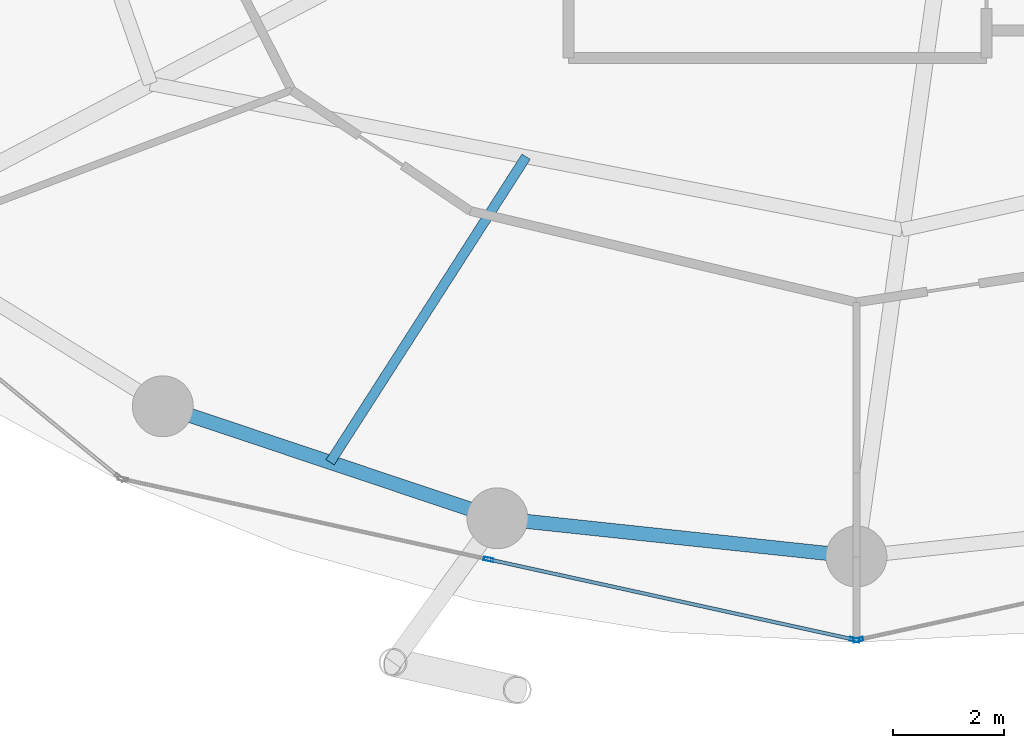
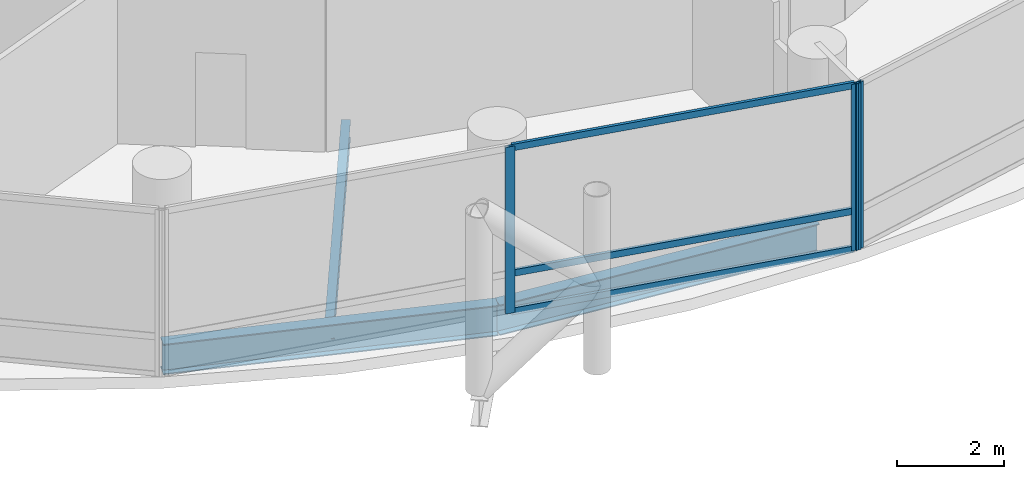
# One storey, part 4 of 25: 6 members, 3 beams, 2 elements without a shape of their own.
"""IFC4 building model written with IfcOpenShell, lengths in metres."""

from ifc_helpers import new_model, si_unit, direction, frame, origin, origin_2d, place, context, subcontext, project, spatial, hollow_rectangle, i_section, extrude, material, layer, layer_set, material_profile, profile_set, type_object, element, aggregate, save


model = new_model("IFC4")

# Units and contexts
model_context = context("Model", 3, precision=1e-05, world=origin(), true_north=direction((0.0, 1.0)))
body_context = subcontext(model_context, "Body", "Model", "MODEL_VIEW")
ifc_project = project(units=[si_unit("LENGTHUNIT", "METRE"), si_unit("AREAUNIT", "SQUARE_METRE"), si_unit("VOLUMEUNIT", "CUBIC_METRE"), si_unit("PLANEANGLEUNIT", "RADIAN"), si_unit("MASSUNIT", "GRAM", prefix="KILO")], contexts=[model_context])

# Site, building, storey
site_placement = place(None, origin())
site = spatial("IfcSite", under=ifc_project, at=site_placement, CompositionType="ELEMENT")
building_placement = place(site_placement, origin())
building = spatial("IfcBuilding", under=site, at=building_placement, Name="Nuhasar Tower", CompositionType="ELEMENT")
storey_placement = place(building_placement, frame((0.0, 0.0, 45.300048828125)))
storey = spatial("IfcBuildingStorey", under=building, at=storey_placement, Name="L10", CompositionType="ELEMENT", Elevation=45.300048828125)

# Beams
ifc_material_1 = material(Name="Steel S355", Category="steel")
ifc_material_profile_1 = material_profile(ifc_material_1, i_section(OverallWidth=0.177978515625, OverallDepth=0.406005859375, WebThickness=0.0078125, FlangeThickness=0.0126953125, at=origin_2d()), Name="W16X40")
ifc_profile_set_1 = profile_set([ifc_material_profile_1], Name="Steel S355")
beam_type_1 = type_object("IfcBeamType", Name="BM-JST-W16X40", PredefinedType="JOIST", material=ifc_profile_set_1)
beam_1_placement = place(storey_placement, frame((33.035888671875, 13.77001953125, -0.463134765625), z_axis=(-0.539944240715, -0.841700788237, 0.0), x_axis=(0.841700788237, -0.539944240715, 0.0)))
element("IfcBeam", 1, at=beam_1_placement, inside=storey, type_object=beam_type_1, Name="L10 Secondary Floor Joist 01", PredefinedType="JOIST", context=body_context, shape_type="SweptSolid", body=[
    extrude(i_section(OverallWidth=0.177978515625, OverallDepth=0.406005859375, WebThickness=0.0078125, FlangeThickness=0.0126953125, at=origin_2d()), origin(), (0.0, 0.0, 1.0), 6.555908203125),
])
ifc_material_profile_2 = material_profile(ifc_material_1, i_section(OverallWidth=0.256103515625, OverallDepth=0.693115234375, WebThickness=0.014404296875, FlangeThickness=0.023681640625, at=origin_2d()), Name="W27X114")
ifc_profile_set_2 = profile_set([ifc_material_profile_2], Name="Steel S355")
beam_type_2 = type_object("IfcBeamType", Name="BM-RING-W27X114", PredefinedType="SPANDREL", material=ifc_profile_set_2)
beam_2_placement = place(storey_placement, frame((26.47509765625, 9.262939453125, -0.60595703125), z_axis=(0.94826097201, -0.317491935271, 0.0), x_axis=(0.317491935271, 0.94826097201, 0.0)))
element("IfcBeam", 2, at=beam_2_placement, inside=storey, type_object=beam_type_2, Name="L10 Perimeter Ring Spandrel 17", PredefinedType="SPANDREL", context=body_context, shape_type="SweptSolid", body=[
    extrude(i_section(OverallWidth=0.256103515625, OverallDepth=0.693115234375, WebThickness=0.014404296875, FlangeThickness=0.023681640625, at=origin_2d()), origin(), (0.0, 0.0, 1.0), 6.37158203125),
])
beam_3_placement = place(storey_placement, frame((32.51708984375, 7.239990234375, -0.60595703125), z_axis=(0.994384554061, -0.105827022286, 0.0), x_axis=(0.105827022286, 0.994384554061, 0.0)))
element("IfcBeam", 3, at=beam_3_placement, inside=storey, type_object=beam_type_2, Name="L10 Perimeter Ring Spandrel 18", PredefinedType="SPANDREL", context=body_context, shape_type="SweptSolid", body=[
    extrude(i_section(OverallWidth=0.256103515625, OverallDepth=0.693115234375, WebThickness=0.014404296875, FlangeThickness=0.023681640625, at=origin_2d()), origin(), (0.0, 0.0, 1.0), 6.51953125),
])

# Curtain wall, members
ifc_material_2 = material(Name="Aluminium 6063-T6", Category="aluminium")
ifc_layer = layer(ifc_material_2, 0.199951171875)
ifc_layer_set = layer_set([ifc_layer], Name="Aluminium 6063-T6")
curtain_wall_type = type_object("IfcCurtainWallType", Name="CW-Z1-OFF", PredefinedType="NOTDEFINED", material=ifc_layer_set)
curtain_wall_1_placement = place(storey_placement, origin())
curtain_wall_1 = element("IfcCurtainWall", 4, at=curtain_wall_1_placement, inside=storey, type_object=curtain_wall_type, Name="L10 Unitised Curtain Wall 09", PredefinedType="NOTDEFINED")
ifc_material_profile_3 = material_profile(ifc_material_2, hollow_rectangle(XDim=0.06494140625, YDim=0.179931640625, WallThickness=0.0048828125, at=origin_2d()), Name="CWM-2")
ifc_profile_set_3 = profile_set([ifc_material_profile_3], Name="Aluminium 6063-T6")
member_type_1 = type_object("IfcMemberType", Name="CW-MUL-S2", PredefinedType="MULLION", material=ifc_profile_set_3)
member_1_placement = place(storey_placement, frame((32.360107421875, 6.49755859375, 0.0), z_axis=(0.0, 0.0, 1.0), x_axis=(0.214398737637, 0.976746221544, 0.0)))
member_1 = element("IfcMember", 5, at=member_1_placement, type_object=member_type_1, Name="CW-Z1 mullion 2", PredefinedType="MULLION", context=body_context, shape_type="SweptSolid", body=[
    extrude(hollow_rectangle(XDim=0.06494140625, YDim=0.179931640625, WallThickness=0.0048828125, at=origin_2d()), origin(), (0.0, 0.0, 1.0), 3.7900390625),
])
member_2_placement = place(storey_placement, frame((38.96826171875, 5.046875, 0.0), z_axis=(0.0, 0.0, 1.0), x_axis=(0.214398737637, 0.976746221544, 0.0)))
member_2 = element("IfcMember", 6, at=member_2_placement, type_object=member_type_1, Name="CW-Z1 mullion 3", PredefinedType="MULLION", context=body_context, shape_type="SweptSolid", body=[
    extrude(hollow_rectangle(XDim=0.06494140625, YDim=0.179931640625, WallThickness=0.0048828125, at=origin_2d()), origin(), (0.0, 0.0, 1.0), 3.7900390625),
])

# Curtain wall, member
curtain_wall_2_placement = place(storey_placement, origin())
curtain_wall_2 = element("IfcCurtainWall", 7, at=curtain_wall_2_placement, inside=storey, type_object=curtain_wall_type, Name="L10 Unitised Curtain Wall 10", PredefinedType="NOTDEFINED")
member_3_placement = place(storey_placement, frame((39.03173828125, 5.046875, 0.0), z_axis=(0.0, 0.0, 1.0), x_axis=(-0.214398737637, 0.976746221544, 0.0)))
member_3 = element("IfcMember", 8, at=member_3_placement, type_object=member_type_1, Name="CW-Z1 mullion 1", PredefinedType="MULLION", context=body_context, shape_type="SweptSolid", body=[
    extrude(hollow_rectangle(XDim=0.06494140625, YDim=0.179931640625, WallThickness=0.0048828125, at=origin_2d()), origin(), (0.0, 0.0, 1.0), 3.7900390625),
])
aggregate(curtain_wall_2, [member_3])

# Member
ifc_material_profile_4 = material_profile(ifc_material_2, hollow_rectangle(XDim=0.06494140625, YDim=0.14990234375, WallThickness=0.00439453125, at=origin_2d()), Name="CWT-2")
ifc_profile_set_4 = profile_set([ifc_material_profile_4], Name="Aluminium 6063-T6")
member_type_2 = type_object("IfcMemberType", Name="CW-TRN-S2", PredefinedType="USERDEFINED", material=ifc_profile_set_4)
member_4_placement = place(storey_placement, frame((32.391845703125, 6.490478515625, 0.032470703125), z_axis=(0.976747879138, -0.214391185916, 0.0), x_axis=(0.214391185916, 0.976747879138, 0.0)))
member_4 = element("IfcMember", 9, at=member_4_placement, type_object=member_type_2, Name="CW-Z1 transom 2.1", ObjectType="TRANSOM", PredefinedType="USERDEFINED", context=body_context, shape_type="SweptSolid", body=[
    extrude(hollow_rectangle(XDim=0.06494140625, YDim=0.14990234375, WallThickness=0.00439453125, at=origin_2d()), origin(), (0.0, 0.0, 1.0), 6.700439453125),
])

member_5_placement = place(storey_placement, frame((32.391845703125, 6.490478515625, 0.89990234375), z_axis=(0.976747879138, -0.214391185916, 0.0), x_axis=(0.214391185916, 0.976747879138, 0.0)))
member_5 = element("IfcMember", 10, at=member_5_placement, type_object=member_type_2, Name="CW-Z1 transom 2.2", ObjectType="TRANSOM", PredefinedType="USERDEFINED", context=body_context, shape_type="SweptSolid", body=[
    extrude(hollow_rectangle(XDim=0.06494140625, YDim=0.14990234375, WallThickness=0.00439453125, at=origin_2d()), origin(), (0.0, 0.0, 1.0), 6.700439453125),
])

member_6_placement = place(storey_placement, frame((32.391845703125, 6.490478515625, 3.757568359375), z_axis=(0.976747879138, -0.214391185916, 0.0), x_axis=(0.214391185916, 0.976747879138, 0.0)))
member_6 = element("IfcMember", 11, at=member_6_placement, type_object=member_type_2, Name="CW-Z1 transom 2.3", ObjectType="TRANSOM", PredefinedType="USERDEFINED", context=body_context, shape_type="SweptSolid", body=[
    extrude(hollow_rectangle(XDim=0.06494140625, YDim=0.14990234375, WallThickness=0.00439453125, at=origin_2d()), origin(), (0.0, 0.0, 1.0), 6.700439453125),
])

aggregate(curtain_wall_1, [member_1, member_2, member_4, member_5, member_6])

save(model, "model.ifc")
